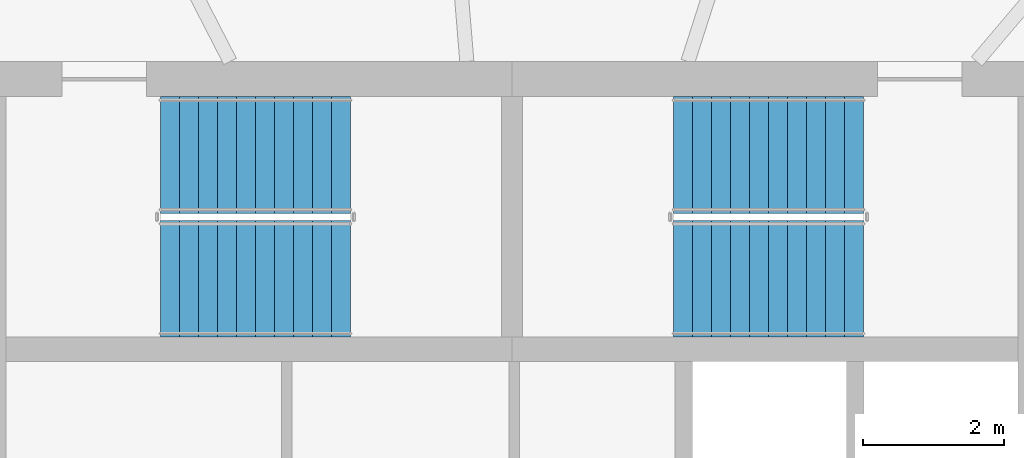
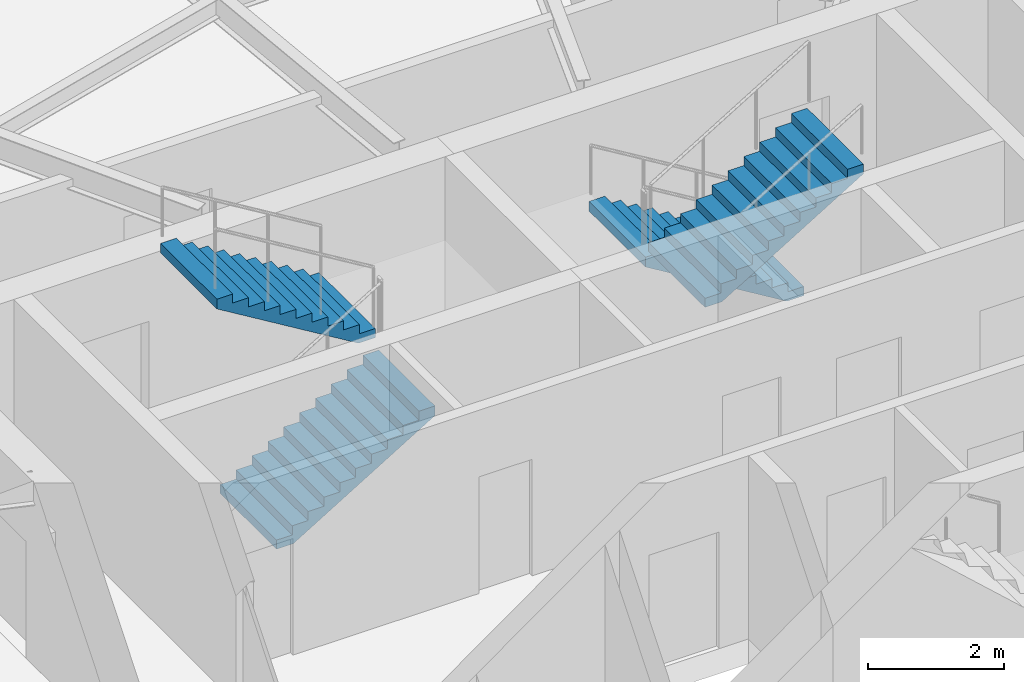
# One storey, part 11 of 14: 4 stair flights, 2 elements without a shape of their own.
"""IFC4 building model written with IfcOpenShell, lengths in metres."""

from ifc_helpers import new_model, si_unit, direction, frame, origin, place, context, subcontext, project, spatial, polyline, outline, extrude, material, type_object, element, aggregate, save


model = new_model("IFC4")

# Units and contexts
model_context = context("Model", 3, precision=1e-05, world=origin(), true_north=direction((0.0, 1.0)))
body_context = subcontext(model_context, "Body", "Model", "MODEL_VIEW")
ifc_project = project(units=[si_unit("LENGTHUNIT", "METRE"), si_unit("AREAUNIT", "SQUARE_METRE"), si_unit("VOLUMEUNIT", "CUBIC_METRE"), si_unit("PLANEANGLEUNIT", "RADIAN"), si_unit("MASSUNIT", "GRAM", prefix="KILO")], contexts=[model_context])

# Site, building, storey
site_placement = place(None, origin())
site = spatial("IfcSite", under=ifc_project, at=site_placement, CompositionType="ELEMENT")
building_placement = place(site_placement, origin())
building = spatial("IfcBuilding", under=site, at=building_placement, Name="Vermilion Reach Broadcast Tower", CompositionType="ELEMENT")
storey_placement = place(building_placement, frame((0.0, 0.0, 254.10009765625)))
storey = spatial("IfcBuildingStorey", under=building, at=storey_placement, Name="L62", CompositionType="ELEMENT", Elevation=254.10009765625)

# Stair, stair flights
ifc_material_1 = material(Name="Concrete C40", Category="concrete")
stair_type = type_object("IfcStairType", Name="Exit stair RC 22 risers 164 mm", PredefinedType="HALF_TURN_STAIR", material=ifc_material_1)
placement = place(storey_placement, origin())
stair_1 = element("IfcStair", 1, at=placement, inside=storey, type_object=stair_type, Name="L62 Exit stair ST1", PredefinedType="HALF_TURN_STAIR")
ifc_material_2 = material(Name="Concrete C40", Category="concrete")
stair_flight_type = type_object("IfcStairFlightType", Name="Exit stair flight RC 11 risers", PredefinedType="STRAIGHT", material=ifc_material_2)
stair_flight_1_placement = place(storey_placement, frame((-11.0, 4.7099609375, 0.0), z_axis=(0.0, 0.0, 1.0), x_axis=(1.0, 0.0, 0.0)))
stair_flight_1 = element("IfcStairFlight", 2, at=stair_flight_1_placement, type_object=stair_flight_type, Name="ST1 flight 1", NumberOfRisers=11, NumberOfTreads=10, PredefinedType="STRAIGHT", RiserHeight=0.163636364, TreadLength=0.27, context=body_context, shape_type="SweptSolid", body=[
    extrude(outline(polyline([(0.0, 0.0), (0.0, 0.16357421875), (0.27001953125, 0.16357421875), (0.27001953125, 0.327392578125), (0.5400390625, 0.327392578125), (0.5400390625, 0.490966796875), (0.81005859375, 0.490966796875), (0.81005859375, 0.654541015625), (1.080078125, 0.654541015625), (1.080078125, 0.818115234375), (1.35009765625, 0.818115234375), (1.35009765625, 0.98193359375), (1.6201171875, 0.98193359375), (1.6201171875, 1.1455078125), (1.889892578125, 1.1455078125), (1.889892578125, 1.30908203125), (2.159912109375, 1.30908203125), (2.159912109375, 1.47265625), (2.429931640625, 1.47265625), (2.429931640625, 1.636474609375), (2.699951171875, 1.636474609375), (2.699951171875, 1.800048828125), (2.699951171875, 1.461181640625), (0.289306640625, 0.0), (0.0, 0.0)])), frame((0.0, 0.830078125, 0.0), z_axis=(0.0, -1.0, 0.0), x_axis=(1.0, 0.0, 0.0)), (0.0, 0.0, 1.0), 1.659912109375),
])
stair_flight_2_placement = place(storey_placement, frame((-8.300048828125, 6.469970703125, 1.7998046875), z_axis=(0.0, 0.0, 1.0), x_axis=(-1.0, 0.0, 0.0)))
stair_flight_2 = element("IfcStairFlight", 3, at=stair_flight_2_placement, type_object=stair_flight_type, Name="ST1 flight 2", NumberOfRisers=11, NumberOfTreads=10, PredefinedType="STRAIGHT", RiserHeight=0.163636364, TreadLength=0.27, context=body_context, shape_type="SweptSolid", body=[
    extrude(outline(polyline([(0.0, 0.0), (0.0, 0.16357421875), (0.27001953125, 0.16357421875), (0.27001953125, 0.327392578125), (0.5400390625, 0.327392578125), (0.5400390625, 0.490966796875), (0.81005859375, 0.490966796875), (0.81005859375, 0.654541015625), (1.080078125, 0.654541015625), (1.080078125, 0.818115234375), (1.35009765625, 0.818115234375), (1.35009765625, 0.98193359375), (1.6201171875, 0.98193359375), (1.6201171875, 1.1455078125), (1.889892578125, 1.1455078125), (1.889892578125, 1.30908203125), (2.159912109375, 1.30908203125), (2.159912109375, 1.47265625), (2.429931640625, 1.47265625), (2.429931640625, 1.636474609375), (2.699951171875, 1.636474609375), (2.699951171875, 1.800048828125), (2.699951171875, 1.461181640625), (0.289306640625, 0.0), (0.0, 0.0)])), frame((0.0, 0.830078125, 0.0), z_axis=(0.0, -1.0, 0.0), x_axis=(1.0, 0.0, 0.0)), (0.0, 0.0, 1.0), 1.659912109375),
])
aggregate(stair_1, [stair_flight_1, stair_flight_2])

stair_2 = element("IfcStair", 4, at=placement, inside=storey, type_object=stair_type, Name="L62 Exit stair ST2", PredefinedType="HALF_TURN_STAIR")
stair_flight_3_placement = place(storey_placement, frame((-1.0, 6.469970703125, 0.0), z_axis=(0.0, 0.0, 1.0), x_axis=(-1.0, 0.0, 0.0)))
stair_flight_3 = element("IfcStairFlight", 5, at=stair_flight_3_placement, type_object=stair_flight_type, Name="ST2 flight 1", NumberOfRisers=11, NumberOfTreads=10, PredefinedType="STRAIGHT", RiserHeight=0.163636364, TreadLength=0.27, context=body_context, shape_type="SweptSolid", body=[
    extrude(outline(polyline([(0.0, 0.0), (0.0, 0.16357421875), (0.27001953125, 0.16357421875), (0.27001953125, 0.327392578125), (0.5400390625, 0.327392578125), (0.5400390625, 0.490966796875), (0.81005859375, 0.490966796875), (0.81005859375, 0.654541015625), (1.080078125, 0.654541015625), (1.080078125, 0.818115234375), (1.35009765625, 0.818115234375), (1.35009765625, 0.98193359375), (1.6201171875, 0.98193359375), (1.6201171875, 1.1455078125), (1.889892578125, 1.1455078125), (1.889892578125, 1.30908203125), (2.159912109375, 1.30908203125), (2.159912109375, 1.47265625), (2.429931640625, 1.47265625), (2.429931640625, 1.636474609375), (2.699951171875, 1.636474609375), (2.699951171875, 1.800048828125), (2.699951171875, 1.461181640625), (0.289306640625, 0.0), (0.0, 0.0)])), frame((0.0, 0.830078125, 0.0), z_axis=(0.0, -1.0, 0.0), x_axis=(1.0, 0.0, 0.0)), (0.0, 0.0, 1.0), 1.659912109375),
])
stair_flight_4_placement = place(storey_placement, frame((-3.699951171875, 4.7099609375, 1.7998046875), z_axis=(0.0, 0.0, 1.0), x_axis=(1.0, 0.0, 0.0)))
stair_flight_4 = element("IfcStairFlight", 6, at=stair_flight_4_placement, type_object=stair_flight_type, Name="ST2 flight 2", NumberOfRisers=11, NumberOfTreads=10, PredefinedType="STRAIGHT", RiserHeight=0.163636364, TreadLength=0.27, context=body_context, shape_type="SweptSolid", body=[
    extrude(outline(polyline([(0.0, 0.0), (0.0, 0.16357421875), (0.27001953125, 0.16357421875), (0.27001953125, 0.327392578125), (0.5400390625, 0.327392578125), (0.5400390625, 0.490966796875), (0.81005859375, 0.490966796875), (0.81005859375, 0.654541015625), (1.080078125, 0.654541015625), (1.080078125, 0.818115234375), (1.35009765625, 0.818115234375), (1.35009765625, 0.98193359375), (1.6201171875, 0.98193359375), (1.6201171875, 1.1455078125), (1.889892578125, 1.1455078125), (1.889892578125, 1.30908203125), (2.159912109375, 1.30908203125), (2.159912109375, 1.47265625), (2.429931640625, 1.47265625), (2.429931640625, 1.636474609375), (2.699951171875, 1.636474609375), (2.699951171875, 1.800048828125), (2.699951171875, 1.461181640625), (0.289306640625, 0.0), (0.0, 0.0)])), frame((0.0, 0.830078125, 0.0), z_axis=(0.0, -1.0, 0.0), x_axis=(1.0, 0.0, 0.0)), (0.0, 0.0, 1.0), 1.659912109375),
])
aggregate(stair_2, [stair_flight_3, stair_flight_4])

save(model, "model.ifc")
